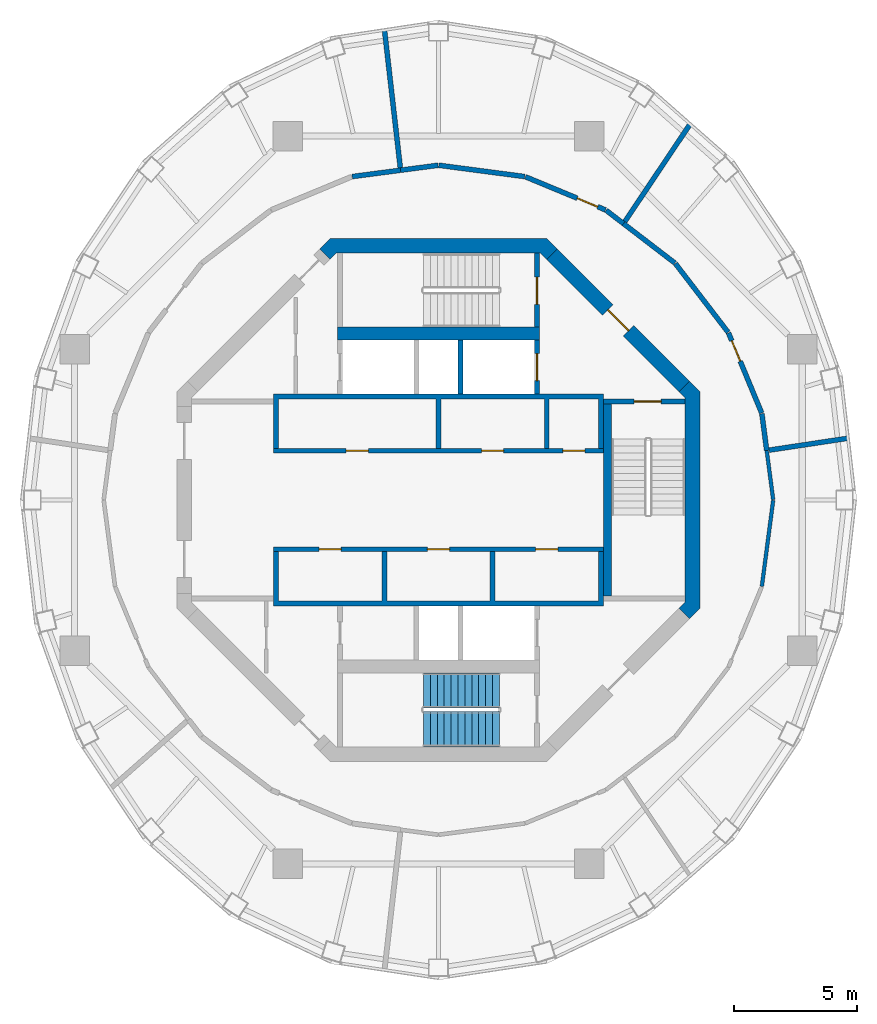
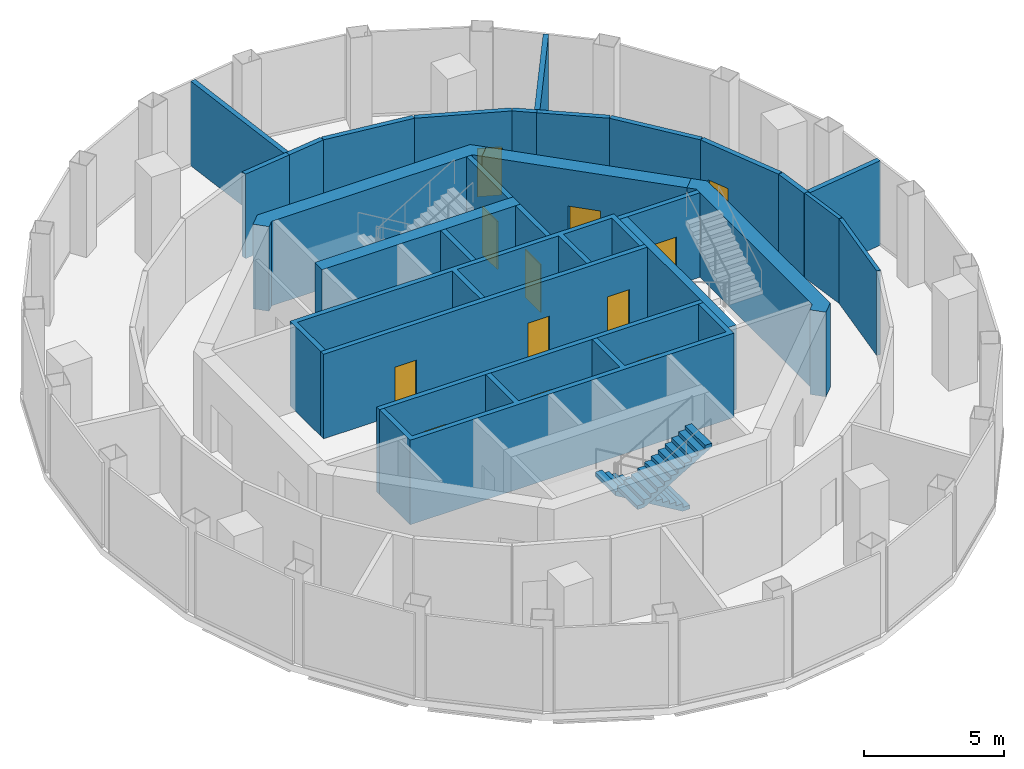
# One storey, part 9 of 11: 27 walls, 12 doors, 2 stair flights, 12 openings, 1 element without a shape of its own.
"""IFC4 building model written with IfcOpenShell, lengths in metres."""

from ifc_helpers import new_model, si_unit, direction, frame, frame_2d, origin, place, context, subcontext, project, spatial, polyline, rectangle, outline, extrude, material, layer, layer_set, type_object, element, fill, aggregate, save


model = new_model("IFC4")

# Units and contexts
model_context = context("Model", 3, precision=1e-05, world=origin(), true_north=direction((0.0, 1.0)))
body_context = subcontext(model_context, "Body", "Model", "MODEL_VIEW")
ifc_project = project(units=[si_unit("LENGTHUNIT", "METRE"), si_unit("AREAUNIT", "SQUARE_METRE"), si_unit("VOLUMEUNIT", "CUBIC_METRE"), si_unit("PLANEANGLEUNIT", "RADIAN"), si_unit("MASSUNIT", "GRAM", prefix="KILO")], contexts=[model_context])

# Site, building, storey
site_placement = place(None, origin())
site = spatial("IfcSite", under=ifc_project, at=site_placement, CompositionType="ELEMENT")
building_placement = place(site_placement, origin())
building = spatial("IfcBuilding", under=site, at=building_placement, Name="Nagisa Residences", CompositionType="ELEMENT")
storey_placement = place(building_placement, frame((0.0, 0.0, 332.89990234375)))
storey = spatial("IfcBuildingStorey", under=building, at=storey_placement, Name="L82", CompositionType="ELEMENT", Elevation=332.89990234375)

# Wall, opening, door
ifc_material_1 = material(Name="Concrete C60", Category="concrete")
ifc_layer_1 = layer(ifc_material_1, 0.60009765625)
ifc_layer_set_1 = layer_set([ifc_layer_1], Name="Core shear wall 600")
wall_type_1 = type_object("IfcWallType", Name="Core shear wall 600", PredefinedType="SHEAR", material=ifc_layer_set_1)
wall_1_placement = place(storey_placement, frame((9.98828125, 4.613037109375, 0.0), z_axis=(0.0, 0.0, 1.0), x_axis=(-0.707106781187, 0.707106781187, 0.0)))
wall_1 = element("IfcWall", 1, at=wall_1_placement, inside=storey, type_object=wall_type_1, Name="wall:L82:core:flat1", PredefinedType="SHEAR", context=body_context, shape_type="SweptSolid", body=[
    extrude(rectangle(XDim=7.601806640625, YDim=0.60009765625, at=frame_2d((3.80078125, 0.0))), origin(), (0.0, 0.0, 1.0), 3.7001953125),
])
opening_1_placement = place(wall_1_placement, frame((3.200927734375, 0.0, 0.0)))
opening_1 = element("IfcOpeningElement", 2, at=opening_1_placement, cuts=wall_1, Name="Opening L82-C16", PredefinedType="OPENING", context=body_context, shape_type="SweptSolid", body=[
    extrude(rectangle(XDim=1.199951171875, YDim=2.10009765625, at=frame_2d((0.60009765625, 1.050048828125))), frame((0.0, 0.31005859375, 0.0), z_axis=(0.0, -1.0, 0.0), x_axis=(1.0, 0.0, 0.0)), (0.0, 0.0, 1.0), 0.6201171875),
])
ifc_material_2 = material(Name="Steel fire door", Category="steel")
door_type_1 = type_object("IfcDoorType", Name="Fire door EI60 1200x2100 single swing", OperationType="NOTDEFINED", PredefinedType="DOOR", material=ifc_material_2)
door_1_placement = place(opening_1_placement, origin())
door_1 = element("IfcDoor", 3, at=door_1_placement, inside=storey, type_object=door_type_1, Name="Firefighting lobby 1 door L82", OperationType="SINGLE_SWING_RIGHT", OverallHeight=2.10009765625, OverallWidth=1.199951171875, PredefinedType="DOOR", context=body_context, shape_type="SweptSolid", body=[
    extrude(rectangle(XDim=1.199951171875, YDim=2.10009765625, at=frame_2d((0.60009765625, 1.050048828125))), frame((0.0, 0.02490234375, 0.0), z_axis=(0.0, -1.0, 0.0), x_axis=(1.0, 0.0, 0.0)), (0.0, 0.0, 1.0), 0.050048828125),
])
fill(opening_1, door_1)

# Walls
wall_2_placement = place(storey_placement, origin())
element("IfcWall", 4, at=wall_2_placement, inside=storey, type_object=wall_type_1, Name="wall:L82:core:flat2", PredefinedType="SHEAR", context=body_context, shape_type="SweptSolid", body=[
    extrude(outline(polyline([(-4.15234375, 10.024658203125), (-4.40087890625, 9.776123046875), (-4.8251953125, 10.200439453125), (-4.40087890625, 10.62451171875), (4.40087890625, 10.62451171875), (4.8251953125, 10.200439453125), (4.40087890625, 9.776123046875), (4.15234375, 10.024658203125), (-4.15234375, 10.024658203125)])), origin(), (0.0, 0.0, 1.0), 3.7001953125),
])
wall_3_placement = place(storey_placement, origin())
element("IfcWall", 5, at=wall_3_placement, inside=storey, type_object=wall_type_1, Name="wall:L82:core:flat0", PredefinedType="SHEAR", context=body_context, shape_type="SweptSolid", body=[
    extrude(outline(polyline([(9.776123046875, -4.40087890625), (10.024658203125, -4.15234375), (10.024658203125, -3.801025390625), (10.024658203125, 4.15234375), (9.776123046875, 4.40087890625), (10.200439453125, 4.8251953125), (10.62451171875, 4.40087890625), (10.62451171875, -4.40087890625), (10.200439453125, -4.8251953125), (9.776123046875, -4.40087890625)])), origin(), (0.0, 0.0, 1.0), 3.7001953125),
])

# Wall, opening, door
ifc_material_3 = material(Name="Concrete C60", Category="concrete")
ifc_layer_2 = layer(ifc_material_3, 0.199951171875)
ifc_layer_set_2 = layer_set([ifc_layer_2], Name="Lift shaft wall 200")
wall_type_2 = type_object("IfcWallType", Name="Lift shaft wall 200", PredefinedType="SOLIDWALL", material=ifc_layer_set_2)
wall_4_placement = place(storey_placement, frame((4.0, 4.300048828125, 0.0), z_axis=(0.0, 0.0, 1.0), x_axis=(0.0, 1.0, 0.0)))
wall_4 = element("IfcWall", 6, at=wall_4_placement, inside=storey, type_object=wall_type_2, Name="wall:L82:Nb3", PredefinedType="SOLIDWALL", context=body_context, shape_type="SweptSolid", body=[
    extrude(rectangle(XDim=2.199951171875, YDim=0.199951171875, at=frame_2d((1.10009765625, 0.0))), origin(), (0.0, 0.0, 1.0), 3.7001953125),
])
opening_2_placement = place(wall_4_placement, frame((0.550048828125, 0.0, 0.0)))
opening_2 = element("IfcOpeningElement", 7, at=opening_2_placement, cuts=wall_4, Name="Opening L82-C01", PredefinedType="OPENING", context=body_context, shape_type="SweptSolid", body=[
    extrude(rectangle(XDim=1.10009765625, YDim=2.10009765625, at=frame_2d((0.550048828125, 1.050048828125))), frame((0.0, 0.10986328125, 0.0), z_axis=(0.0, -1.0, 0.0), x_axis=(1.0, 0.0, 0.0)), (0.0, 0.0, 1.0), 0.219970703125),
])
ifc_material_4 = material(Name="Stainless steel", Category="steel")
door_type_2 = type_object("IfcDoorType", Name="Lift landing door 1100x2100", OperationType="DOUBLE_DOOR_SLIDING", PredefinedType="DOOR", material=ifc_material_4)
door_2_placement = place(opening_2_placement, origin())
door_2 = element("IfcDoor", 8, at=door_2_placement, inside=storey, type_object=door_type_2, Name="Landing door FL1 L82", OperationType="DOUBLE_DOOR_SLIDING", OverallHeight=2.10009765625, OverallWidth=1.10009765625, PredefinedType="DOOR", context=body_context, shape_type="SweptSolid", body=[
    extrude(rectangle(XDim=1.10009765625, YDim=2.10009765625, at=frame_2d((0.550048828125, 1.050048828125))), frame((0.0, 0.02490234375, 0.0), z_axis=(0.0, -1.0, 0.0), x_axis=(1.0, 0.0, 0.0)), (0.0, 0.0, 1.0), 0.050048828125),
])
fill(opening_2, door_2)

# Wall, openings, doors
wall_5_placement = place(storey_placement, frame((-6.699951171875, 2.0, 0.0), z_axis=(0.0, 0.0, 1.0), x_axis=(1.0, 0.0, 0.0)))
wall_5 = element("IfcWall", 9, at=wall_5_placement, inside=storey, type_object=wall_type_2, Name="wall:L82:Nfront", PredefinedType="SOLIDWALL", context=body_context, shape_type="SweptSolid", body=[
    extrude(rectangle(XDim=13.39990234375, YDim=0.199951171875, at=frame_2d((6.699951171875, 0.0))), origin(), (0.0, 0.0, 1.0), 3.7001953125),
])
opening_3_placement = place(wall_5_placement, frame((2.949951171875, 0.0, 0.0)))
opening_3 = element("IfcOpeningElement", 10, at=opening_3_placement, cuts=wall_5, Name="Opening L82-C10", PredefinedType="OPENING", context=body_context, shape_type="SweptSolid", body=[
    extrude(rectangle(XDim=0.89990234375, YDim=2.10009765625, at=frame_2d((0.449951171875, 1.050048828125))), frame((0.0, 0.10986328125, 0.0), z_axis=(0.0, -1.0, 0.0), x_axis=(1.0, 0.0, 0.0)), (0.0, 0.0, 1.0), 0.219970703125),
])
opening_4_placement = place(wall_5_placement, frame((8.449951171875, 0.0, 0.0)))
opening_4 = element("IfcOpeningElement", 11, at=opening_4_placement, cuts=wall_5, Name="Opening L82-C11", PredefinedType="OPENING", context=body_context, shape_type="SweptSolid", body=[
    extrude(rectangle(XDim=0.89990234375, YDim=2.10009765625, at=frame_2d((0.449951171875, 1.050048828125))), frame((0.0, 0.10986328125, 0.0), z_axis=(0.0, -1.0, 0.0), x_axis=(1.0, 0.0, 0.0)), (0.0, 0.0, 1.0), 0.219970703125),
])
opening_5_placement = place(wall_5_placement, frame((11.75, 0.0, 0.0)))
opening_5 = element("IfcOpeningElement", 12, at=opening_5_placement, cuts=wall_5, Name="Opening L82-C12", PredefinedType="OPENING", context=body_context, shape_type="SweptSolid", body=[
    extrude(rectangle(XDim=0.89990234375, YDim=2.10009765625, at=frame_2d((0.449951171875, 1.050048828125))), frame((0.0, 0.10986328125, 0.0), z_axis=(0.0, -1.0, 0.0), x_axis=(1.0, 0.0, 0.0)), (0.0, 0.0, 1.0), 0.219970703125),
])
ifc_material_5 = material(Name="Steel fire door", Category="steel")
door_type_3 = type_object("IfcDoorType", Name="Fire door EI30 900x2100 single swing", OperationType="NOTDEFINED", PredefinedType="DOOR", material=ifc_material_5)
door_3_placement = place(opening_3_placement, origin())
door_3 = element("IfcDoor", 13, at=door_3_placement, inside=storey, type_object=door_type_3, Name="Pump store door L82", OperationType="SINGLE_SWING_LEFT", OverallHeight=2.10009765625, OverallWidth=0.89990234375, PredefinedType="DOOR", context=body_context, shape_type="SweptSolid", body=[
    extrude(rectangle(XDim=0.89990234375, YDim=2.10009765625, at=frame_2d((0.449951171875, 1.050048828125))), frame((0.0, 0.02490234375, 0.0), z_axis=(0.0, -1.0, 0.0), x_axis=(1.0, 0.0, 0.0)), (0.0, 0.0, 1.0), 0.050048828125),
])
fill(opening_3, door_3)
door_4_placement = place(opening_4_placement, origin())
door_4 = element("IfcDoor", 14, at=door_4_placement, inside=storey, type_object=door_type_3, Name="Battery room door L82", OperationType="SINGLE_SWING_LEFT", OverallHeight=2.10009765625, OverallWidth=0.89990234375, PredefinedType="DOOR", context=body_context, shape_type="SweptSolid", body=[
    extrude(rectangle(XDim=0.89990234375, YDim=2.10009765625, at=frame_2d((0.449951171875, 1.050048828125))), frame((0.0, 0.02490234375, 0.0), z_axis=(0.0, -1.0, 0.0), x_axis=(1.0, 0.0, 0.0)), (0.0, 0.0, 1.0), 0.050048828125),
])
fill(opening_4, door_4)
door_5_placement = place(opening_5_placement, origin())
door_5 = element("IfcDoor", 15, at=door_5_placement, inside=storey, type_object=door_type_3, Name="Pump store door L82", OperationType="SINGLE_SWING_RIGHT", OverallHeight=2.10009765625, OverallWidth=0.89990234375, PredefinedType="DOOR", context=body_context, shape_type="SweptSolid", body=[
    extrude(rectangle(XDim=0.89990234375, YDim=2.10009765625, at=frame_2d((0.449951171875, 1.050048828125))), frame((0.0, 0.02490234375, 0.0), z_axis=(0.0, -1.0, 0.0), x_axis=(1.0, 0.0, 0.0)), (0.0, 0.0, 1.0), 0.050048828125),
])
fill(opening_5, door_5)

wall_6_placement = place(storey_placement, frame((-6.699951171875, -2.0, 0.0), z_axis=(0.0, 0.0, 1.0), x_axis=(1.0, 0.0, 0.0)))
wall_6 = element("IfcWall", 16, at=wall_6_placement, inside=storey, type_object=wall_type_2, Name="wall:L82:Sfront", PredefinedType="SOLIDWALL", context=body_context, shape_type="SweptSolid", body=[
    extrude(rectangle(XDim=13.39990234375, YDim=0.199951171875, at=frame_2d((6.699951171875, 0.0))), origin(), (0.0, 0.0, 1.0), 3.7001953125),
])
opening_6_placement = place(wall_6_placement, frame((1.85009765625, 0.0, 0.0)))
opening_6 = element("IfcOpeningElement", 17, at=opening_6_placement, cuts=wall_6, Name="Opening L82-C13", PredefinedType="OPENING", context=body_context, shape_type="SweptSolid", body=[
    extrude(rectangle(XDim=0.89990234375, YDim=2.10009765625, at=frame_2d((0.449951171875, 1.050048828125))), frame((0.0, 0.10986328125, 0.0), z_axis=(0.0, -1.0, 0.0), x_axis=(1.0, 0.0, 0.0)), (0.0, 0.0, 1.0), 0.219970703125),
])
opening_7_placement = place(wall_6_placement, frame((6.25, 0.0, 0.0)))
opening_7 = element("IfcOpeningElement", 18, at=opening_7_placement, cuts=wall_6, Name="Opening L82-C14", PredefinedType="OPENING", context=body_context, shape_type="SweptSolid", body=[
    extrude(rectangle(XDim=0.89990234375, YDim=2.10009765625, at=frame_2d((0.449951171875, 1.050048828125))), frame((0.0, 0.10986328125, 0.0), z_axis=(0.0, -1.0, 0.0), x_axis=(1.0, 0.0, 0.0)), (0.0, 0.0, 1.0), 0.219970703125),
])
opening_8_placement = place(wall_6_placement, frame((10.64990234375, 0.0, 0.0)))
opening_8 = element("IfcOpeningElement", 19, at=opening_8_placement, cuts=wall_6, Name="Opening L82-C15", PredefinedType="OPENING", context=body_context, shape_type="SweptSolid", body=[
    extrude(rectangle(XDim=0.89990234375, YDim=2.10009765625, at=frame_2d((0.449951171875, 1.050048828125))), frame((0.0, 0.10986328125, 0.0), z_axis=(0.0, -1.0, 0.0), x_axis=(1.0, 0.0, 0.0)), (0.0, 0.0, 1.0), 0.219970703125),
])
door_6_placement = place(opening_6_placement, frame((0.89990234375, 0.0, 0.0), x_axis=(-1.0, 0.0, 0.0)))
door_6 = element("IfcDoor", 20, at=door_6_placement, inside=storey, type_object=door_type_3, Name="Battery room door L82", OperationType="SINGLE_SWING_RIGHT", OverallHeight=2.10009765625, OverallWidth=0.89990234375, PredefinedType="DOOR", context=body_context, shape_type="SweptSolid", body=[
    extrude(rectangle(XDim=0.89990234375, YDim=2.10009765625, at=frame_2d((0.449951171875, 1.050048828125))), frame((0.0, 0.02490234375, 0.0), z_axis=(0.0, -1.0, 0.0), x_axis=(1.0, 0.0, 0.0)), (0.0, 0.0, 1.0), 0.050048828125),
])
fill(opening_6, door_6)
door_7_placement = place(opening_7_placement, frame((0.89990234375, 0.0, 0.0), x_axis=(-1.0, 0.0, 0.0)))
door_7 = element("IfcDoor", 21, at=door_7_placement, inside=storey, type_object=door_type_3, Name="Pump store door L82", OperationType="SINGLE_SWING_RIGHT", OverallHeight=2.10009765625, OverallWidth=0.89990234375, PredefinedType="DOOR", context=body_context, shape_type="SweptSolid", body=[
    extrude(rectangle(XDim=0.89990234375, YDim=2.10009765625, at=frame_2d((0.449951171875, 1.050048828125))), frame((0.0, 0.02490234375, 0.0), z_axis=(0.0, -1.0, 0.0), x_axis=(1.0, 0.0, 0.0)), (0.0, 0.0, 1.0), 0.050048828125),
])
fill(opening_7, door_7)
door_8_placement = place(opening_8_placement, frame((0.89990234375, 0.0, 0.0), x_axis=(-1.0, 0.0, 0.0)))
door_8 = element("IfcDoor", 22, at=door_8_placement, inside=storey, type_object=door_type_3, Name="Battery room door L82", OperationType="SINGLE_SWING_LEFT", OverallHeight=2.10009765625, OverallWidth=0.89990234375, PredefinedType="DOOR", context=body_context, shape_type="SweptSolid", body=[
    extrude(rectangle(XDim=0.89990234375, YDim=2.10009765625, at=frame_2d((0.449951171875, 1.050048828125))), frame((0.0, 0.02490234375, 0.0), z_axis=(0.0, -1.0, 0.0), x_axis=(1.0, 0.0, 0.0)), (0.0, 0.0, 1.0), 0.050048828125),
])
fill(opening_8, door_8)

# Walls
wall_7_placement = place(storey_placement, origin())
element("IfcWall", 23, at=wall_7_placement, inside=storey, type_object=wall_type_2, Name="wall:L82:Sback", PredefinedType="SOLIDWALL", context=body_context, shape_type="SweptSolid", body=[
    extrude(outline(polyline([(-6.699951171875, -2.10009765625), (-6.5, -2.10009765625), (-6.5, -4.10009765625), (-2.300048828125, -4.10009765625), (-2.300048828125, -2.10009765625), (-2.10009765625, -2.10009765625), (-2.10009765625, -4.10009765625), (2.10009765625, -4.10009765625), (2.10009765625, -2.10009765625), (2.300048828125, -2.10009765625), (2.300048828125, -4.10009765625), (6.5, -4.10009765625), (6.5, -2.10009765625), (6.699951171875, -2.10009765625), (6.699951171875, -4.300048828125), (-6.699951171875, -4.300048828125), (-6.699951171875, -2.10009765625)])), origin(), (0.0, 0.0, 1.0), 3.7001953125),
])
wall_8_placement = place(storey_placement, frame((0.89990234375, 4.300048828125, 0.0), z_axis=(0.0, 0.0, 1.0), x_axis=(0.0, 1.0, 0.0)))
element("IfcWall", 24, at=wall_8_placement, inside=storey, type_object=wall_type_2, Name="wall:L82:Nb2", PredefinedType="SOLIDWALL", context=body_context, shape_type="SweptSolid", body=[
    extrude(rectangle(XDim=2.199951171875, YDim=0.199951171875, at=frame_2d((1.10009765625, 0.0))), origin(), (0.0, 0.0, 1.0), 3.7001953125),
])
wall_9_placement = place(storey_placement, origin())
element("IfcWall", 25, at=wall_9_placement, inside=storey, type_object=wall_type_2, Name="wall:L82:Nback", PredefinedType="SOLIDWALL", context=body_context, shape_type="SweptSolid", body=[
    extrude(outline(polyline([(-6.699951171875, 4.300048828125), (6.699951171875, 4.300048828125), (6.699951171875, 2.10009765625), (6.5, 2.10009765625), (6.5, 4.10009765625), (4.5, 4.10009765625), (4.5, 2.10009765625), (4.300048828125, 2.10009765625), (4.300048828125, 4.10009765625), (0.10009765625, 4.10009765625), (0.10009765625, 2.10009765625), (-0.10009765625, 2.10009765625), (-0.10009765625, 4.10009765625), (-6.5, 4.10009765625), (-6.5, 2.10009765625), (-6.699951171875, 2.10009765625), (-6.699951171875, 4.300048828125)])), origin(), (0.0, 0.0, 1.0), 3.7001953125),
])
ifc_material_6 = material(Name="Gypsum board on steel studs", Category="steel")
ifc_layer_3 = layer(ifc_material_6, 0.199951171875)
ifc_layer_set_3 = layer_set([ifc_layer_3], Name="Plant room wall EI120 200")
wall_type_3 = type_object("IfcWallType", Name="Plant room wall EI120 200", PredefinedType="PARTITIONING", material=ifc_layer_set_3)
wall_10_placement = place(storey_placement, frame((-3.5048828125, 13.138671875, 0.0), z_axis=(0.0, 0.0, 1.0), x_axis=(0.991454295543, 0.130454512571, 0.0)))
element("IfcWall", 26, at=wall_10_placement, inside=storey, type_object=wall_type_3, Name="wall:L82:am024", PredefinedType="PARTITIONING", context=body_context, shape_type="SweptSolid", body=[
    extrude(rectangle(XDim=1.983642578125, YDim=0.199951171875, at=frame_2d((0.99169921875, 0.0))), origin(), (0.0, 0.0, 1.0), 3.7001953125),
])
wall_11_placement = place(storey_placement, frame((-1.549560546875, 13.496826171875, 0.0), z_axis=(0.0, 0.0, 1.0), x_axis=(-0.114057329834, 0.993474169524, 0.0)))
element("IfcWall", 27, at=wall_11_placement, inside=storey, type_object=wall_type_3, Name="wall:L82:am027", PredefinedType="PARTITIONING", context=body_context, shape_type="SweptSolid", body=[
    extrude(rectangle(XDim=5.608154296875, YDim=0.199951171875, at=frame_2d((2.80419921875, 0.0))), origin(), (0.0, 0.0, 1.0), 3.7001953125),
])
wall_12_placement = place(storey_placement, frame((-1.5380859375, 13.3974609375, 0.0), z_axis=(0.0, 0.0, 1.0), x_axis=(0.991449967232, 0.13048740351, 0.0)))
element("IfcWall", 28, at=wall_12_placement, inside=storey, type_object=wall_type_3, Name="wall:L82:am028", PredefinedType="PARTITIONING", context=body_context, shape_type="SweptSolid", body=[
    extrude(rectangle(XDim=1.5361328125, YDim=0.199951171875, at=frame_2d((0.76806640625, 0.0))), origin(), (0.0, 0.0, 1.0), 3.7001953125),
])
wall_13_placement = place(storey_placement, frame((0.01513671875, 13.597900390625, 0.0), z_axis=(0.0, 0.0, 1.0), x_axis=(0.991452406768, -0.130468866457, 0.0)))
element("IfcWall", 29, at=wall_13_placement, inside=storey, type_object=wall_type_3, Name="wall:L82:am029", PredefinedType="PARTITIONING", context=body_context, shape_type="SweptSolid", body=[
    extrude(rectangle(XDim=3.519775390625, YDim=0.199951171875, at=frame_2d((1.759765625, 0.0))), origin(), (0.0, 0.0, 1.0), 3.7001953125),
])

# Wall, opening, door
wall_14_placement = place(storey_placement, frame((3.533935546875, 13.130859375, 0.0), z_axis=(0.0, 0.0, 1.0), x_axis=(0.92386297064, -0.382723413813, 0.0)))
wall_14 = element("IfcWall", 30, at=wall_14_placement, inside=storey, type_object=wall_type_3, Name="wall:L82:am030", PredefinedType="PARTITIONING", context=body_context, shape_type="SweptSolid", body=[
    extrude(rectangle(XDim=3.52001953125, YDim=0.199951171875, at=frame_2d((1.760009765625, 0.0))), origin(), (0.0, 0.0, 1.0), 3.7001953125),
])
opening_9_placement = place(wall_14_placement, frame((2.277587890625, 0.0, 0.0)))
opening_9 = element("IfcOpeningElement", 31, at=opening_9_placement, cuts=wall_14, Name="Opening L82-A02", PredefinedType="OPENING", context=body_context, shape_type="SweptSolid", body=[
    extrude(rectangle(XDim=0.89990234375, YDim=2.10009765625, at=frame_2d((0.449951171875, 1.050048828125))), frame((0.0, 0.10986328125, 0.0), z_axis=(0.0, -1.0, 0.0), x_axis=(1.0, 0.0, 0.0)), (0.0, 0.0, 1.0), 0.219970703125),
])
ifc_material_7 = material(Name="Steel fire door", Category="steel")
door_type_4 = type_object("IfcDoorType", Name="Fire door EI120 900x2100 single swing", OperationType="NOTDEFINED", PredefinedType="DOOR", material=ifc_material_7)
door_9_placement = place(opening_9_placement, origin())
door_9 = element("IfcDoor", 32, at=door_9_placement, inside=storey, type_object=door_type_4, Name="Pressurisation plant room door", OperationType="SINGLE_SWING_RIGHT", OverallHeight=2.10009765625, OverallWidth=0.89990234375, PredefinedType="DOOR", context=body_context, shape_type="SweptSolid", body=[
    extrude(rectangle(XDim=0.89990234375, YDim=2.10009765625, at=frame_2d((0.449951171875, 1.050048828125))), frame((0.0, 0.02490234375, 0.0), z_axis=(0.0, -1.0, 0.0), x_axis=(1.0, 0.0, 0.0)), (0.0, 0.0, 1.0), 0.050048828125),
])
fill(opening_9, door_9)

# Walls
wall_15_placement = place(storey_placement, frame((6.81201171875, 11.7685546875, 0.0), z_axis=(0.0, 0.0, 1.0), x_axis=(0.793420478802, -0.608673922407, 0.0)))
element("IfcWall", 33, at=wall_15_placement, inside=storey, type_object=wall_type_3, Name="wall:L82:am031", PredefinedType="PARTITIONING", context=body_context, shape_type="SweptSolid", body=[
    extrude(rectangle(XDim=0.887939453125, YDim=0.199951171875, at=frame_2d((0.44384765625, 0.0))), origin(), (0.0, 0.0, 1.0), 3.7001953125),
])
wall_16_placement = place(storey_placement, frame((7.5166015625, 11.22802734375, 0.0), z_axis=(0.0, 0.0, 1.0), x_axis=(0.793395797287, -0.608706093979, 0.0)))
element("IfcWall", 34, at=wall_16_placement, inside=storey, type_object=wall_type_3, Name="wall:L82:am032", PredefinedType="PARTITIONING", context=body_context, shape_type="SweptSolid", body=[
    extrude(rectangle(XDim=2.6318359375, YDim=0.199951171875, at=frame_2d((1.31591796875, 0.0))), origin(), (0.0, 0.0, 1.0), 3.7001953125),
])
wall_17_placement = place(storey_placement, frame((7.572265625, 11.311279296875, 0.0), z_axis=(0.0, 0.0, 1.0), x_axis=(0.55629198168, 0.830986901893, 0.0)))
element("IfcWall", 35, at=wall_17_placement, inside=storey, type_object=wall_type_3, Name="wall:L82:am033", PredefinedType="PARTITIONING", context=body_context, shape_type="SweptSolid", body=[
    extrude(rectangle(XDim=4.73974609375, YDim=0.199951171875, at=frame_2d((2.369873046875, 0.0))), origin(), (0.0, 0.0, 1.0), 3.7001953125),
])
wall_18_placement = place(storey_placement, frame((9.6259765625, 9.604736328125, 0.0), z_axis=(0.0, 0.0, 1.0), x_axis=(0.608697977542, -0.793402024283, 0.0)))
element("IfcWall", 36, at=wall_18_placement, inside=storey, type_object=wall_type_3, Name="wall:L82:am034", PredefinedType="PARTITIONING", context=body_context, shape_type="SweptSolid", body=[
    extrude(rectangle(XDim=3.52001953125, YDim=0.199951171875, at=frame_2d((1.760009765625, 0.0))), origin(), (0.0, 0.0, 1.0), 3.7001953125),
])

# Wall, opening, door
wall_19_placement = place(storey_placement, frame((11.78369140625, 6.785888671875, 0.0), z_axis=(0.0, 0.0, 1.0), x_axis=(0.382723413813, -0.92386297064, 0.0)))
wall_19 = element("IfcWall", 37, at=wall_19_placement, inside=storey, type_object=wall_type_3, Name="wall:L82:am035", PredefinedType="PARTITIONING", context=body_context, shape_type="SweptSolid", body=[
    extrude(rectangle(XDim=3.52001953125, YDim=0.199951171875, at=frame_2d((1.760009765625, 0.0))), origin(), (0.0, 0.0, 1.0), 3.7001953125),
])
opening_10_placement = place(wall_19_placement, frame((0.34228515625, 0.0, 0.0)))
opening_10 = element("IfcOpeningElement", 38, at=opening_10_placement, cuts=wall_19, Name="Opening L82-A01", PredefinedType="OPENING", context=body_context, shape_type="SweptSolid", body=[
    extrude(rectangle(XDim=0.89990234375, YDim=2.10009765625, at=frame_2d((0.449951171875, 1.050048828125))), frame((0.0, 0.10986328125, 0.0), z_axis=(0.0, -1.0, 0.0), x_axis=(1.0, 0.0, 0.0)), (0.0, 0.0, 1.0), 0.219970703125),
])
door_10_placement = place(opening_10_placement, origin())
door_10 = element("IfcDoor", 39, at=door_10_placement, inside=storey, type_object=door_type_4, Name="Smoke extract plant room door", OperationType="SINGLE_SWING_LEFT", OverallHeight=2.10009765625, OverallWidth=0.89990234375, PredefinedType="DOOR", context=body_context, shape_type="SweptSolid", body=[
    extrude(rectangle(XDim=0.89990234375, YDim=2.10009765625, at=frame_2d((0.449951171875, 1.050048828125))), frame((0.0, 0.02490234375, 0.0), z_axis=(0.0, -1.0, 0.0), x_axis=(1.0, 0.0, 0.0)), (0.0, 0.0, 1.0), 0.050048828125),
])
fill(opening_10, door_10)

# Walls
wall_20_placement = place(storey_placement, frame((13.138671875, 3.5048828125, 0.0), z_axis=(0.0, 0.0, 1.0), x_axis=(0.130391662061, -0.99146256332, 0.0)))
element("IfcWall", 40, at=wall_20_placement, inside=storey, type_object=wall_type_3, Name="wall:L82:am036", PredefinedType="PARTITIONING", context=body_context, shape_type="SweptSolid", body=[
    extrude(rectangle(XDim=1.50732421875, YDim=0.199951171875, at=frame_2d((0.753662109375, 0.0))), origin(), (0.0, 0.0, 1.0), 3.7001953125),
])
wall_21_placement = place(storey_placement, frame((13.43408203125, 2.025390625, 0.0), z_axis=(0.0, 0.0, 1.0), x_axis=(0.988817905908, 0.149127961685, 0.0)))
element("IfcWall", 41, at=wall_21_placement, inside=storey, type_object=wall_type_3, Name="wall:L82:am037", PredefinedType="PARTITIONING", context=body_context, shape_type="SweptSolid", body=[
    extrude(rectangle(XDim=3.213623046875, YDim=0.199951171875, at=frame_2d((1.60693359375, 0.0))), origin(), (0.0, 0.0, 1.0), 3.7001953125),
])
ifc_material_8 = material(Name="Gypsum board on steel studs", Category="steel")
ifc_layer_4 = layer(ifc_material_8, 0.14990234375)
ifc_layer_set_4 = layer_set([ifc_layer_4], Name="Room partition EI60 150")
wall_type_4 = type_object("IfcWallType", Name="Room partition EI60 150", PredefinedType="PARTITIONING", material=ifc_layer_set_4)
wall_22_placement = place(storey_placement, frame((13.335205078125, 2.010498046875, 0.0), z_axis=(0.0, 0.0, 1.0), x_axis=(0.130545357325, -0.991442338051, 0.0)))
element("IfcWall", 42, at=wall_22_placement, inside=storey, type_object=wall_type_4, Name="wall:L82:am012", PredefinedType="PARTITIONING", context=body_context, shape_type="SweptSolid", body=[
    extrude(rectangle(XDim=2.01611328125, YDim=0.14990234375, at=frame_2d((1.008056640625, 0.0))), origin(), (0.0, 0.0, 1.0), 3.7001953125),
])
wall_23_placement = place(storey_placement, frame((13.598388671875, -0.01171875, 0.0), z_axis=(0.0, 0.0, 1.0), x_axis=(-0.130499283623, -0.991448403586, 0.0)))
element("IfcWall", 43, at=wall_23_placement, inside=storey, type_object=wall_type_4, Name="wall:L82:am013", PredefinedType="PARTITIONING", context=body_context, shape_type="SweptSolid", body=[
    extrude(rectangle(XDim=3.526611328125, YDim=0.14990234375, at=frame_2d((1.76318359375, 0.0))), origin(), (0.0, 0.0, 1.0), 3.7001953125),
])

# Wall, opening, door
ifc_material_9 = material(Name="Concrete C60", Category="concrete")
ifc_layer_5 = layer(ifc_material_9, 0.199951171875)
ifc_layer_set_5 = layer_set([ifc_layer_5], Name="Stair enclosure wall 200")
wall_type_5 = type_object("IfcWallType", Name="Stair enclosure wall 200", PredefinedType="SOLIDWALL", material=ifc_layer_set_5)
wall_24_placement = place(storey_placement, frame((6.699951171875, 4.0, 0.0), z_axis=(0.0, 0.0, 1.0), x_axis=(1.0, 0.0, 0.0)))
wall_24 = element("IfcWall", 44, at=wall_24_placement, inside=storey, type_object=wall_type_5, Name="wall:L82:SE_n", PredefinedType="SOLIDWALL", context=body_context, shape_type="SweptSolid", body=[
    extrude(rectangle(XDim=3.32470703125, YDim=0.199951171875, at=frame_2d((1.662353515625, 0.0))), origin(), (0.0, 0.0, 1.0), 3.7001953125),
])
opening_11_placement = place(wall_24_placement, frame((1.25, 0.0, 0.0)))
opening_11 = element("IfcOpeningElement", 45, at=opening_11_placement, cuts=wall_24, Name="Opening L82-C04", PredefinedType="OPENING", context=body_context, shape_type="SweptSolid", body=[
    extrude(rectangle(XDim=1.10009765625, YDim=2.10009765625, at=frame_2d((0.550048828125, 1.050048828125))), frame((0.0, 0.10986328125, 0.0), z_axis=(0.0, -1.0, 0.0), x_axis=(1.0, 0.0, 0.0)), (0.0, 0.0, 1.0), 0.219970703125),
])
ifc_material_10 = material(Name="Steel fire door", Category="steel")
door_type_5 = type_object("IfcDoorType", Name="Fire door EI90 1100x2100 single swing", OperationType="NOTDEFINED", PredefinedType="DOOR", material=ifc_material_10)
door_11_placement = place(opening_11_placement, frame((1.10009765625, 0.0, 0.0), x_axis=(-1.0, 0.0, 0.0)))
door_11 = element("IfcDoor", 46, at=door_11_placement, inside=storey, type_object=door_type_5, Name="Stair door ST-E L82", OperationType="SINGLE_SWING_RIGHT", OverallHeight=2.10009765625, OverallWidth=1.10009765625, PredefinedType="DOOR", context=body_context, shape_type="SweptSolid", body=[
    extrude(rectangle(XDim=1.10009765625, YDim=2.10009765625, at=frame_2d((0.550048828125, 1.050048828125))), frame((0.0, 0.02490234375, 0.0), z_axis=(0.0, -1.0, 0.0), x_axis=(1.0, 0.0, 0.0)), (0.0, 0.0, 1.0), 0.050048828125),
])
fill(opening_11, door_11)

wall_25_placement = place(storey_placement, frame((4.0, 7.024658203125, 0.0), z_axis=(0.0, 0.0, 1.0), x_axis=(0.0, 1.0, 0.0)))
wall_25 = element("IfcWall", 47, at=wall_25_placement, inside=storey, type_object=wall_type_5, Name="wall:L82:SN_e", PredefinedType="SOLIDWALL", context=body_context, shape_type="SweptSolid", body=[
    extrude(rectangle(XDim=3.0, YDim=0.199951171875, at=frame_2d((1.5, 0.0))), origin(), (0.0, 0.0, 1.0), 3.7001953125),
])
opening_12_placement = place(wall_25_placement, frame((0.92529296875, 0.0, 0.0)))
opening_12 = element("IfcOpeningElement", 48, at=opening_12_placement, cuts=wall_25, Name="Opening L82-C05", PredefinedType="OPENING", context=body_context, shape_type="SweptSolid", body=[
    extrude(rectangle(XDim=1.10009765625, YDim=2.10009765625, at=frame_2d((0.550048828125, 1.050048828125))), frame((0.0, 0.10986328125, 0.0), z_axis=(0.0, -1.0, 0.0), x_axis=(1.0, 0.0, 0.0)), (0.0, 0.0, 1.0), 0.219970703125),
])
door_12_placement = place(opening_12_placement, origin())
door_12 = element("IfcDoor", 49, at=door_12_placement, inside=storey, type_object=door_type_5, Name="Stair door ST-N L82", OperationType="SINGLE_SWING_LEFT", OverallHeight=2.10009765625, OverallWidth=1.10009765625, PredefinedType="DOOR", context=body_context, shape_type="SweptSolid", body=[
    extrude(rectangle(XDim=1.10009765625, YDim=2.10009765625, at=frame_2d((0.550048828125, 1.050048828125))), frame((0.0, 0.02490234375, 0.0), z_axis=(0.0, -1.0, 0.0), x_axis=(1.0, 0.0, 0.0)), (0.0, 0.0, 1.0), 0.050048828125),
])
fill(opening_12, door_12)

# Walls
wall_26_placement = place(storey_placement, origin())
element("IfcWall", 50, at=wall_26_placement, inside=storey, type_object=wall_type_5, Name="wall:L82:SN_s", PredefinedType="SOLIDWALL", context=body_context, shape_type="SweptSolid", body=[
    extrude(outline(polyline([(4.10009765625, 6.5), (-4.10009765625, 6.5), (-4.10009765625, 7.024658203125), (4.10009765625, 7.024658203125), (4.10009765625, 6.5)])), origin(), (0.0, 0.0, 1.0), 3.7001953125),
])
wall_27_placement = place(storey_placement, origin())
element("IfcWall", 51, at=wall_27_placement, inside=storey, type_object=wall_type_5, Name="wall:L82:SE_w", PredefinedType="SOLIDWALL", context=body_context, shape_type="SweptSolid", body=[
    extrude(outline(polyline([(7.024658203125, -3.89990234375), (6.699951171875, -3.89990234375), (6.699951171875, 3.89990234375), (7.024658203125, 3.89990234375), (7.024658203125, -3.89990234375)])), origin(), (0.0, 0.0, 1.0), 3.7001953125),
])

# Stair, stair flights
ifc_material_11 = material(Name="Concrete C60", Category="concrete")
stair_type = type_object("IfcStairType", Name="Exit stair", PredefinedType="HALF_TURN_STAIR", material=ifc_material_11)
stair_placement = place(storey_placement, origin())
stair = element("IfcStair", 52, at=stair_placement, inside=storey, type_object=stair_type, Name="L82 Exit stair S", PredefinedType="HALF_TURN_STAIR")
ifc_material_12 = material(Name="Concrete C60", Category="concrete")
stair_flight_type = type_object("IfcStairFlightType", Name="Exit stair flight", PredefinedType="STRAIGHT", material=ifc_material_12)
stair_flight_1_placement = place(storey_placement, frame((2.47509765625, -7.737060546875, 0.0), z_axis=(0.0, 0.0, 1.0), x_axis=(-1.0, 0.0, 0.0)))
stair_flight_1 = element("IfcStairFlight", 53, at=stair_flight_1_placement, type_object=stair_flight_type, Name="ST-S flight 1", NumberOfRisers=12, NumberOfTreads=11, PredefinedType="STRAIGHT", RiserHeight=0.166666667, TreadLength=0.28, context=body_context, shape_type="SweptSolid", body=[
    extrude(outline(polyline([(0.0, 0.0), (0.0, 0.166748046875), (0.280029296875, 0.166748046875), (0.280029296875, 0.333251953125), (0.56005859375, 0.333251953125), (0.56005859375, 0.5), (0.840087890625, 0.5), (0.840087890625, 0.666748046875), (1.1201171875, 0.666748046875), (1.1201171875, 0.833251953125), (1.39990234375, 0.833251953125), (1.39990234375, 1.0), (1.679931640625, 1.0), (1.679931640625, 1.166748046875), (1.9599609375, 1.166748046875), (1.9599609375, 1.333251953125), (2.239990234375, 1.333251953125), (2.239990234375, 1.5), (2.52001953125, 1.5), (2.52001953125, 1.666748046875), (2.800048828125, 1.666748046875), (2.800048828125, 1.833251953125), (3.080078125, 1.833251953125), (3.080078125, 2.0), (3.080078125, 1.658935546875), (0.29296875, 0.0), (0.0, 0.0)])), frame((0.0, 0.71240234375, 0.0), z_axis=(0.0, -1.0, 0.0), x_axis=(1.0, 0.0, 0.0)), (0.0, 0.0, 1.0), 1.425048828125),
])
stair_flight_2_placement = place(storey_placement, frame((-0.60498046875, -9.31201171875, 2.0), z_axis=(0.0, 0.0, 1.0), x_axis=(1.0, 0.0, 0.0)))
stair_flight_2 = element("IfcStairFlight", 54, at=stair_flight_2_placement, type_object=stair_flight_type, Name="ST-S flight 2", NumberOfRisers=12, NumberOfTreads=11, PredefinedType="STRAIGHT", RiserHeight=0.166666667, TreadLength=0.28, context=body_context, shape_type="SweptSolid", body=[
    extrude(outline(polyline([(0.0, 0.0), (0.0, 0.166748046875), (0.280029296875, 0.166748046875), (0.280029296875, 0.333251953125), (0.56005859375, 0.333251953125), (0.56005859375, 0.5), (0.840087890625, 0.5), (0.840087890625, 0.666748046875), (1.1201171875, 0.666748046875), (1.1201171875, 0.833251953125), (1.39990234375, 0.833251953125), (1.39990234375, 1.0), (1.679931640625, 1.0), (1.679931640625, 1.166748046875), (1.9599609375, 1.166748046875), (1.9599609375, 1.333251953125), (2.239990234375, 1.333251953125), (2.239990234375, 1.5), (2.52001953125, 1.5), (2.52001953125, 1.666748046875), (2.800048828125, 1.666748046875), (2.800048828125, 1.833251953125), (3.080078125, 1.833251953125), (3.080078125, 2.0), (3.080078125, 1.658935546875), (0.29296875, 0.0), (0.0, 0.0)])), frame((0.0, 0.71240234375, 0.0), z_axis=(0.0, -1.0, 0.0), x_axis=(1.0, 0.0, 0.0)), (0.0, 0.0, 1.0), 1.425048828125),
])
aggregate(stair, [stair_flight_1, stair_flight_2])

save(model, "model.ifc")
